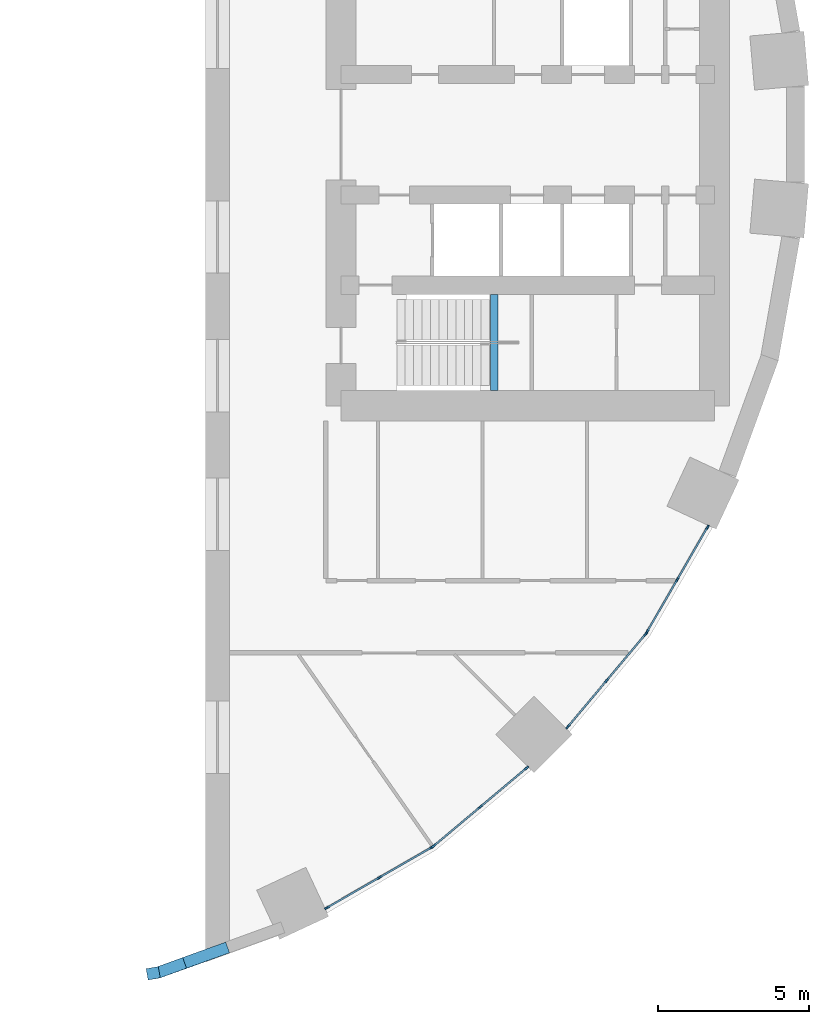
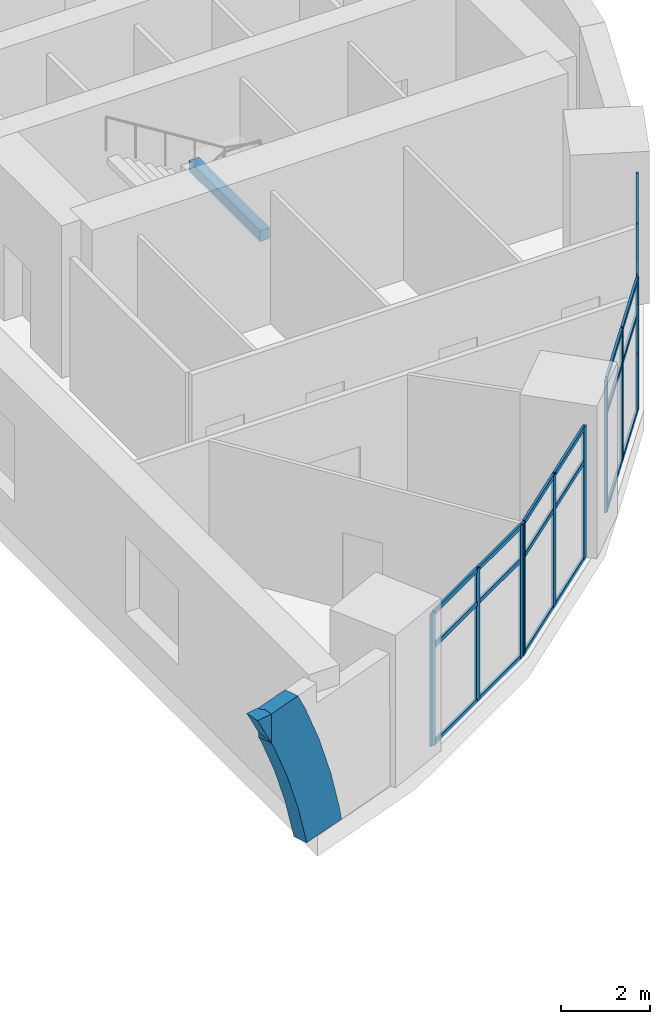
# One storey, part 3 of 13: 38 members, 1 beam, 4 elements without a shape of their own.
"""IFC4 building model written with IfcOpenShell, lengths in metres."""

from ifc_helpers import new_model, si_unit, direction, frame, origin, origin_2d, place, context, subcontext, project, spatial, polyline, rectangle, hollow_rectangle, outline, extrude, material, layer, layer_set, material_profile, profile_set, type_object, element, aggregate, save


model = new_model("IFC4")

# Units and contexts
model_context = context("Model", 3, precision=1e-05, world=origin(), true_north=direction((0.0, 1.0)))
body_context = subcontext(model_context, "Body", "Model", "MODEL_VIEW")
ifc_project = project(units=[si_unit("LENGTHUNIT", "METRE"), si_unit("AREAUNIT", "SQUARE_METRE"), si_unit("VOLUMEUNIT", "CUBIC_METRE"), si_unit("PLANEANGLEUNIT", "RADIAN"), si_unit("MASSUNIT", "GRAM", prefix="KILO")], contexts=[model_context])

# Site, building, storey
site_placement = place(None, origin())
site = spatial("IfcSite", under=ifc_project, at=site_placement, CompositionType="ELEMENT")
building_placement = place(site_placement, origin())
building = spatial("IfcBuilding", under=site, at=building_placement, Name="Saqina Gate Tower", CompositionType="ELEMENT")
storey_placement = place(building_placement, frame((0.0, 0.0, 9.199951171875)))
storey = spatial("IfcBuildingStorey", under=building, at=storey_placement, Name="L02", CompositionType="ELEMENT", Elevation=9.199951171875)

# Curtain wall, members
ifc_material_1 = material(Name="Aluminium glazing", Category="aluminium")
ifc_layer = layer(ifc_material_1, 0.159912109375)
ifc_layer_set = layer_set([ifc_layer], Name="CWT-1")
curtain_wall_type = type_object("IfcCurtainWallType", Name="CWT-1", PredefinedType="NOTDEFINED", material=ifc_layer_set)
curtain_wall_1_placement = place(storey_placement, origin())
curtain_wall_1 = element("IfcCurtainWall", 1, at=curtain_wall_1_placement, inside=storey, type_object=curtain_wall_type, Name="Podium shopfront facet 30", PredefinedType="NOTDEFINED")
ifc_material_2 = material(Name="Aluminium", Category="aluminium")
ifc_material_profile_1 = material_profile(ifc_material_2, rectangle(XDim=0.06005859375, YDim=0.159912109375, at=origin_2d()), Name="Aluminium 60x160")
ifc_profile_set_1 = profile_set([ifc_material_profile_1], Name="Aluminium")
member_type_1 = type_object("IfcMemberType", Name="CWT-1M", PredefinedType="MULLION", material=ifc_profile_set_1)
member_1_placement = place(storey_placement, frame((13.03466796875, -25.66015625, 0.0), z_axis=(0.0, 0.0, 1.0), x_axis=(-0.500013894893, 0.866017381415, 0.0)))
member_1 = element("IfcMember", 2, at=member_1_placement, type_object=member_type_1, Name="CW1-30 mullion 1", PredefinedType="MULLION", context=body_context, shape_type="SweptSolid", body=[
    extrude(rectangle(XDim=0.06005859375, YDim=0.159912109375, at=origin_2d()), origin(), (0.0, 0.0, 1.0), 3.650146484375),
])
member_2_placement = place(storey_placement, frame((14.770751953125, -24.65771484375, 0.0), z_axis=(0.0, 0.0, 1.0), x_axis=(-0.500013894893, 0.866017381415, 0.0)))
member_2 = element("IfcMember", 3, at=member_2_placement, type_object=member_type_1, Name="CW1-30 mullion 2", PredefinedType="MULLION", context=body_context, shape_type="SweptSolid", body=[
    extrude(rectangle(XDim=0.06005859375, YDim=0.159912109375, at=origin_2d()), origin(), (0.0, 0.0, 1.0), 3.650146484375),
])
member_3_placement = place(storey_placement, frame((16.5068359375, -23.655517578125, 0.0), z_axis=(0.0, 0.0, 1.0), x_axis=(-0.500013894893, 0.866017381415, 0.0)))
member_3 = element("IfcMember", 4, at=member_3_placement, type_object=member_type_1, Name="CW1-30 mullion 3", PredefinedType="MULLION", context=body_context, shape_type="SweptSolid", body=[
    extrude(rectangle(XDim=0.06005859375, YDim=0.159912109375, at=origin_2d()), origin(), (0.0, 0.0, 1.0), 3.650146484375),
])

curtain_wall_2_placement = place(storey_placement, origin())
curtain_wall_2 = element("IfcCurtainWall", 5, at=curtain_wall_2_placement, inside=storey, type_object=curtain_wall_type, Name="Podium shopfront facet 31", PredefinedType="NOTDEFINED")
member_4_placement = place(storey_placement, frame((16.583251953125, -23.601806640625, 0.0), z_axis=(0.0, 0.0, 1.0), x_axis=(-0.642779322911, 0.766051396473, 0.0)))
member_4 = element("IfcMember", 6, at=member_4_placement, type_object=member_type_1, Name="CW1-31 mullion 1", PredefinedType="MULLION", context=body_context, shape_type="SweptSolid", body=[
    extrude(rectangle(XDim=0.06005859375, YDim=0.159912109375, at=origin_2d()), origin(), (0.0, 0.0, 1.0), 3.650146484375),
])
member_5_placement = place(storey_placement, frame((18.118896484375, -22.3134765625, 0.0), z_axis=(0.0, 0.0, 1.0), x_axis=(-0.642779322911, 0.766051396473, 0.0)))
member_5 = element("IfcMember", 7, at=member_5_placement, type_object=member_type_1, Name="CW1-31 mullion 2", PredefinedType="MULLION", context=body_context, shape_type="SweptSolid", body=[
    extrude(rectangle(XDim=0.06005859375, YDim=0.159912109375, at=origin_2d()), origin(), (0.0, 0.0, 1.0), 3.650146484375),
])
member_6_placement = place(storey_placement, frame((19.654296875, -21.02490234375, 0.0), z_axis=(0.0, 0.0, 1.0), x_axis=(-0.642779322911, 0.766051396473, 0.0)))
member_6 = element("IfcMember", 8, at=member_6_placement, type_object=member_type_1, Name="CW1-31 mullion 3", PredefinedType="MULLION", context=body_context, shape_type="SweptSolid", body=[
    extrude(rectangle(XDim=0.06005859375, YDim=0.159912109375, at=origin_2d()), origin(), (0.0, 0.0, 1.0), 3.650146484375),
])

curtain_wall_3_placement = place(storey_placement, origin())
curtain_wall_3 = element("IfcCurtainWall", 9, at=curtain_wall_3_placement, inside=storey, type_object=curtain_wall_type, Name="Podium shopfront facet 32", PredefinedType="NOTDEFINED")
member_7_placement = place(storey_placement, frame((21.02490234375, -19.654296875, 0.0), z_axis=(0.0, 0.0, 1.0), x_axis=(-0.766051396473, 0.642779322911, 0.0)))
member_7 = element("IfcMember", 10, at=member_7_placement, type_object=member_type_1, Name="CW1-32 mullion 1", PredefinedType="MULLION", context=body_context, shape_type="SweptSolid", body=[
    extrude(rectangle(XDim=0.06005859375, YDim=0.159912109375, at=origin_2d()), origin(), (0.0, 0.0, 1.0), 3.650146484375),
])
member_8_placement = place(storey_placement, frame((22.3134765625, -18.118896484375, 0.0), z_axis=(0.0, 0.0, 1.0), x_axis=(-0.766051396473, 0.642779322911, 0.0)))
member_8 = element("IfcMember", 11, at=member_8_placement, type_object=member_type_1, Name="CW1-32 mullion 2", PredefinedType="MULLION", context=body_context, shape_type="SweptSolid", body=[
    extrude(rectangle(XDim=0.06005859375, YDim=0.159912109375, at=origin_2d()), origin(), (0.0, 0.0, 1.0), 3.650146484375),
])
member_9_placement = place(storey_placement, frame((23.601806640625, -16.583251953125, 0.0), z_axis=(0.0, 0.0, 1.0), x_axis=(-0.766051396473, 0.642779322911, 0.0)))
member_9 = element("IfcMember", 12, at=member_9_placement, type_object=member_type_1, Name="CW1-32 mullion 3", PredefinedType="MULLION", context=body_context, shape_type="SweptSolid", body=[
    extrude(rectangle(XDim=0.06005859375, YDim=0.159912109375, at=origin_2d()), origin(), (0.0, 0.0, 1.0), 3.650146484375),
])

curtain_wall_4_placement = place(storey_placement, origin())
curtain_wall_4 = element("IfcCurtainWall", 13, at=curtain_wall_4_placement, inside=storey, type_object=curtain_wall_type, Name="Podium shopfront facet 33", PredefinedType="NOTDEFINED")
member_10_placement = place(storey_placement, frame((23.655517578125, -16.5068359375, 0.0), z_axis=(0.0, 0.0, 1.0), x_axis=(-0.866017381415, 0.500013894893, 0.0)))
member_10 = element("IfcMember", 14, at=member_10_placement, type_object=member_type_1, Name="CW1-33 mullion 1", PredefinedType="MULLION", context=body_context, shape_type="SweptSolid", body=[
    extrude(rectangle(XDim=0.06005859375, YDim=0.159912109375, at=origin_2d()), origin(), (0.0, 0.0, 1.0), 3.650146484375),
])
member_11_placement = place(storey_placement, frame((24.65771484375, -14.770751953125, 0.0), z_axis=(0.0, 0.0, 1.0), x_axis=(-0.866017381415, 0.500013894893, 0.0)))
member_11 = element("IfcMember", 15, at=member_11_placement, type_object=member_type_1, Name="CW1-33 mullion 2", PredefinedType="MULLION", context=body_context, shape_type="SweptSolid", body=[
    extrude(rectangle(XDim=0.06005859375, YDim=0.159912109375, at=origin_2d()), origin(), (0.0, 0.0, 1.0), 3.650146484375),
])
member_12_placement = place(storey_placement, frame((25.66015625, -13.03466796875, 0.0), z_axis=(0.0, 0.0, 1.0), x_axis=(-0.866017381415, 0.500013894893, 0.0)))
member_12 = element("IfcMember", 16, at=member_12_placement, type_object=member_type_1, Name="CW1-33 mullion 3", PredefinedType="MULLION", context=body_context, shape_type="SweptSolid", body=[
    extrude(rectangle(XDim=0.06005859375, YDim=0.159912109375, at=origin_2d()), origin(), (0.0, 0.0, 1.0), 3.650146484375),
])

# Member
ifc_material_3 = material(Name="Aluminium", Category="aluminium")
ifc_material_profile_2 = material_profile(ifc_material_3, rectangle(XDim=0.06005859375, YDim=0.1201171875, at=origin_2d()), Name="Aluminium 60x120")
ifc_profile_set_2 = profile_set([ifc_material_profile_2], Name="Aluminium")
member_type_2 = type_object("IfcMemberType", Name="CWT-1T", PredefinedType="USERDEFINED", material=ifc_profile_set_2)
member_13_placement = place(storey_placement, frame((13.060791015625, -25.64501953125, 0.030029296875), z_axis=(0.866055964107, 0.499947064232, 0.0), x_axis=(-0.499947064232, 0.866055964107, 0.0)))
member_13 = element("IfcMember", 17, at=member_13_placement, type_object=member_type_2, Name="CW1-30 transom 1.1", ObjectType="TRANSOM", PredefinedType="USERDEFINED", context=body_context, shape_type="SweptSolid", body=[
    extrude(rectangle(XDim=0.06005859375, YDim=0.1201171875, at=origin_2d()), origin(), (0.0, 0.0, 1.0), 1.944580078125),
])

member_14_placement = place(storey_placement, frame((13.060791015625, -25.64501953125, 2.699951171875), z_axis=(0.866055964107, 0.499947064232, 0.0), x_axis=(-0.499947064232, 0.866055964107, 0.0)))
member_14 = element("IfcMember", 18, at=member_14_placement, type_object=member_type_2, Name="CW1-30 transom 1.2", ObjectType="TRANSOM", PredefinedType="USERDEFINED", context=body_context, shape_type="SweptSolid", body=[
    extrude(rectangle(XDim=0.06005859375, YDim=0.1201171875, at=origin_2d()), origin(), (0.0, 0.0, 1.0), 1.944580078125),
])

member_15_placement = place(storey_placement, frame((13.060791015625, -25.64501953125, 3.6201171875), z_axis=(0.866055964107, 0.499947064232, 0.0), x_axis=(-0.499947064232, 0.866055964107, 0.0)))
member_15 = element("IfcMember", 19, at=member_15_placement, type_object=member_type_2, Name="CW1-30 transom 1.3", ObjectType="TRANSOM", PredefinedType="USERDEFINED", context=body_context, shape_type="SweptSolid", body=[
    extrude(rectangle(XDim=0.06005859375, YDim=0.1201171875, at=origin_2d()), origin(), (0.0, 0.0, 1.0), 1.944580078125),
])

member_16_placement = place(storey_placement, frame((14.796630859375, -24.642822265625, 0.030029296875), z_axis=(0.866001600736, 0.500041225824, 0.0), x_axis=(-0.500041225824, 0.866001600736, 0.0)))
member_16 = element("IfcMember", 20, at=member_16_placement, type_object=member_type_2, Name="CW1-30 transom 2.1", ObjectType="TRANSOM", PredefinedType="USERDEFINED", context=body_context, shape_type="SweptSolid", body=[
    extrude(rectangle(XDim=0.06005859375, YDim=0.1201171875, at=origin_2d()), origin(), (0.0, 0.0, 1.0), 1.944580078125),
])

member_17_placement = place(storey_placement, frame((14.796630859375, -24.642822265625, 2.699951171875), z_axis=(0.866001600736, 0.500041225824, 0.0), x_axis=(-0.500041225824, 0.866001600736, 0.0)))
member_17 = element("IfcMember", 21, at=member_17_placement, type_object=member_type_2, Name="CW1-30 transom 2.2", ObjectType="TRANSOM", PredefinedType="USERDEFINED", context=body_context, shape_type="SweptSolid", body=[
    extrude(rectangle(XDim=0.06005859375, YDim=0.1201171875, at=origin_2d()), origin(), (0.0, 0.0, 1.0), 1.944580078125),
])

member_18_placement = place(storey_placement, frame((14.796630859375, -24.642822265625, 3.6201171875), z_axis=(0.866001600736, 0.500041225824, 0.0), x_axis=(-0.500041225824, 0.866001600736, 0.0)))
member_18 = element("IfcMember", 22, at=member_18_placement, type_object=member_type_2, Name="CW1-30 transom 2.3", ObjectType="TRANSOM", PredefinedType="USERDEFINED", context=body_context, shape_type="SweptSolid", body=[
    extrude(rectangle(XDim=0.06005859375, YDim=0.1201171875, at=origin_2d()), origin(), (0.0, 0.0, 1.0), 1.944580078125),
])

aggregate(curtain_wall_1, [member_1, member_2, member_3, member_13, member_14, member_15, member_16, member_17, member_18])

member_19_placement = place(storey_placement, frame((16.606201171875, -23.58251953125, 0.030029296875), z_axis=(0.766117756196, 0.642700228444, 0.0), x_axis=(-0.642700228444, 0.766117756196, 0.0)))
member_19 = element("IfcMember", 23, at=member_19_placement, type_object=member_type_2, Name="CW1-31 transom 1.1", ObjectType="TRANSOM", PredefinedType="USERDEFINED", context=body_context, shape_type="SweptSolid", body=[
    extrude(rectangle(XDim=0.06005859375, YDim=0.1201171875, at=origin_2d()), origin(), (0.0, 0.0, 1.0), 1.944580078125),
])

member_20_placement = place(storey_placement, frame((16.606201171875, -23.58251953125, 2.699951171875), z_axis=(0.766117756196, 0.642700228444, 0.0), x_axis=(-0.642700228444, 0.766117756196, 0.0)))
member_20 = element("IfcMember", 24, at=member_20_placement, type_object=member_type_2, Name="CW1-31 transom 1.2", ObjectType="TRANSOM", PredefinedType="USERDEFINED", context=body_context, shape_type="SweptSolid", body=[
    extrude(rectangle(XDim=0.06005859375, YDim=0.1201171875, at=origin_2d()), origin(), (0.0, 0.0, 1.0), 1.944580078125),
])

member_21_placement = place(storey_placement, frame((16.606201171875, -23.58251953125, 3.6201171875), z_axis=(0.766117756196, 0.642700228444, 0.0), x_axis=(-0.642700228444, 0.766117756196, 0.0)))
member_21 = element("IfcMember", 25, at=member_21_placement, type_object=member_type_2, Name="CW1-31 transom 1.3", ObjectType="TRANSOM", PredefinedType="USERDEFINED", context=body_context, shape_type="SweptSolid", body=[
    extrude(rectangle(XDim=0.06005859375, YDim=0.1201171875, at=origin_2d()), origin(), (0.0, 0.0, 1.0), 1.944580078125),
])

member_22_placement = place(storey_placement, frame((18.141845703125, -22.294189453125, 0.030029296875), z_axis=(0.76600406177, 0.642835731235, 0.0), x_axis=(-0.642835731235, 0.76600406177, 0.0)))
member_22 = element("IfcMember", 26, at=member_22_placement, type_object=member_type_2, Name="CW1-31 transom 2.1", ObjectType="TRANSOM", PredefinedType="USERDEFINED", context=body_context, shape_type="SweptSolid", body=[
    extrude(rectangle(XDim=0.06005859375, YDim=0.1201171875, at=origin_2d()), origin(), (0.0, 0.0, 1.0), 1.944580078125),
])

member_23_placement = place(storey_placement, frame((18.141845703125, -22.294189453125, 2.699951171875), z_axis=(0.76600406177, 0.642835731235, 0.0), x_axis=(-0.642835731235, 0.76600406177, 0.0)))
member_23 = element("IfcMember", 27, at=member_23_placement, type_object=member_type_2, Name="CW1-31 transom 2.2", ObjectType="TRANSOM", PredefinedType="USERDEFINED", context=body_context, shape_type="SweptSolid", body=[
    extrude(rectangle(XDim=0.06005859375, YDim=0.1201171875, at=origin_2d()), origin(), (0.0, 0.0, 1.0), 1.944580078125),
])

member_24_placement = place(storey_placement, frame((18.141845703125, -22.294189453125, 3.6201171875), z_axis=(0.76600406177, 0.642835731235, 0.0), x_axis=(-0.642835731235, 0.76600406177, 0.0)))
member_24 = element("IfcMember", 28, at=member_24_placement, type_object=member_type_2, Name="CW1-31 transom 2.3", ObjectType="TRANSOM", PredefinedType="USERDEFINED", context=body_context, shape_type="SweptSolid", body=[
    extrude(rectangle(XDim=0.06005859375, YDim=0.1201171875, at=origin_2d()), origin(), (0.0, 0.0, 1.0), 1.944580078125),
])

aggregate(curtain_wall_2, [member_4, member_5, member_6, member_19, member_20, member_21, member_22, member_23, member_24])

member_25_placement = place(storey_placement, frame((21.044189453125, -19.63134765625, 0.030029296875), z_axis=(0.642835731235, 0.76600406177, 0.0), x_axis=(-0.76600406177, 0.642835731235, 0.0)))
member_25 = element("IfcMember", 29, at=member_25_placement, type_object=member_type_2, Name="CW1-32 transom 1.1", ObjectType="TRANSOM", PredefinedType="USERDEFINED", context=body_context, shape_type="SweptSolid", body=[
    extrude(rectangle(XDim=0.06005859375, YDim=0.1201171875, at=origin_2d()), origin(), (0.0, 0.0, 1.0), 1.944580078125),
])

member_26_placement = place(storey_placement, frame((21.044189453125, -19.63134765625, 2.699951171875), z_axis=(0.642835731235, 0.76600406177, 0.0), x_axis=(-0.76600406177, 0.642835731235, 0.0)))
member_26 = element("IfcMember", 30, at=member_26_placement, type_object=member_type_2, Name="CW1-32 transom 1.2", ObjectType="TRANSOM", PredefinedType="USERDEFINED", context=body_context, shape_type="SweptSolid", body=[
    extrude(rectangle(XDim=0.06005859375, YDim=0.1201171875, at=origin_2d()), origin(), (0.0, 0.0, 1.0), 1.944580078125),
])

member_27_placement = place(storey_placement, frame((21.044189453125, -19.63134765625, 3.6201171875), z_axis=(0.642835731235, 0.76600406177, 0.0), x_axis=(-0.76600406177, 0.642835731235, 0.0)))
member_27 = element("IfcMember", 31, at=member_27_placement, type_object=member_type_2, Name="CW1-32 transom 1.3", ObjectType="TRANSOM", PredefinedType="USERDEFINED", context=body_context, shape_type="SweptSolid", body=[
    extrude(rectangle(XDim=0.06005859375, YDim=0.1201171875, at=origin_2d()), origin(), (0.0, 0.0, 1.0), 1.944580078125),
])

member_28_placement = place(storey_placement, frame((22.332763671875, -18.095947265625, 0.030029296875), z_axis=(0.642700228444, 0.766117756196, 0.0), x_axis=(-0.766117756196, 0.642700228444, 0.0)))
member_28 = element("IfcMember", 32, at=member_28_placement, type_object=member_type_2, Name="CW1-32 transom 2.1", ObjectType="TRANSOM", PredefinedType="USERDEFINED", context=body_context, shape_type="SweptSolid", body=[
    extrude(rectangle(XDim=0.06005859375, YDim=0.1201171875, at=origin_2d()), origin(), (0.0, 0.0, 1.0), 1.944580078125),
])

member_29_placement = place(storey_placement, frame((22.332763671875, -18.095947265625, 2.699951171875), z_axis=(0.642700228444, 0.766117756196, 0.0), x_axis=(-0.766117756196, 0.642700228444, 0.0)))
member_29 = element("IfcMember", 33, at=member_29_placement, type_object=member_type_2, Name="CW1-32 transom 2.2", ObjectType="TRANSOM", PredefinedType="USERDEFINED", context=body_context, shape_type="SweptSolid", body=[
    extrude(rectangle(XDim=0.06005859375, YDim=0.1201171875, at=origin_2d()), origin(), (0.0, 0.0, 1.0), 1.944580078125),
])

member_30_placement = place(storey_placement, frame((22.332763671875, -18.095947265625, 3.6201171875), z_axis=(0.642700228444, 0.766117756196, 0.0), x_axis=(-0.766117756196, 0.642700228444, 0.0)))
member_30 = element("IfcMember", 34, at=member_30_placement, type_object=member_type_2, Name="CW1-32 transom 2.3", ObjectType="TRANSOM", PredefinedType="USERDEFINED", context=body_context, shape_type="SweptSolid", body=[
    extrude(rectangle(XDim=0.06005859375, YDim=0.1201171875, at=origin_2d()), origin(), (0.0, 0.0, 1.0), 1.944580078125),
])

aggregate(curtain_wall_3, [member_7, member_8, member_9, member_25, member_26, member_27, member_28, member_29, member_30])

member_31_placement = place(storey_placement, frame((23.67041015625, -16.480712890625, 0.030029296875), z_axis=(0.500041225824, 0.866001600736, 0.0), x_axis=(-0.866001600736, 0.500041225824, 0.0)))
member_31 = element("IfcMember", 35, at=member_31_placement, type_object=member_type_2, Name="CW1-33 transom 1.1", ObjectType="TRANSOM", PredefinedType="USERDEFINED", context=body_context, shape_type="SweptSolid", body=[
    extrude(rectangle(XDim=0.06005859375, YDim=0.1201171875, at=origin_2d()), origin(), (0.0, 0.0, 1.0), 1.944580078125),
])

member_32_placement = place(storey_placement, frame((23.67041015625, -16.480712890625, 2.699951171875), z_axis=(0.500041225824, 0.866001600736, 0.0), x_axis=(-0.866001600736, 0.500041225824, 0.0)))
member_32 = element("IfcMember", 36, at=member_32_placement, type_object=member_type_2, Name="CW1-33 transom 1.2", ObjectType="TRANSOM", PredefinedType="USERDEFINED", context=body_context, shape_type="SweptSolid", body=[
    extrude(rectangle(XDim=0.06005859375, YDim=0.1201171875, at=origin_2d()), origin(), (0.0, 0.0, 1.0), 1.944580078125),
])

member_33_placement = place(storey_placement, frame((23.67041015625, -16.480712890625, 3.6201171875), z_axis=(0.500041225824, 0.866001600736, 0.0), x_axis=(-0.866001600736, 0.500041225824, 0.0)))
member_33 = element("IfcMember", 37, at=member_33_placement, type_object=member_type_2, Name="CW1-33 transom 1.3", ObjectType="TRANSOM", PredefinedType="USERDEFINED", context=body_context, shape_type="SweptSolid", body=[
    extrude(rectangle(XDim=0.06005859375, YDim=0.1201171875, at=origin_2d()), origin(), (0.0, 0.0, 1.0), 1.944580078125),
])

member_34_placement = place(storey_placement, frame((24.6728515625, -14.744873046875, 0.030029296875), z_axis=(0.499947064232, 0.866055964107, 0.0), x_axis=(-0.866055964107, 0.499947064232, 0.0)))
member_34 = element("IfcMember", 38, at=member_34_placement, type_object=member_type_2, Name="CW1-33 transom 2.1", ObjectType="TRANSOM", PredefinedType="USERDEFINED", context=body_context, shape_type="SweptSolid", body=[
    extrude(rectangle(XDim=0.06005859375, YDim=0.1201171875, at=origin_2d()), origin(), (0.0, 0.0, 1.0), 1.944580078125),
])

member_35_placement = place(storey_placement, frame((24.6728515625, -14.744873046875, 2.699951171875), z_axis=(0.499947064232, 0.866055964107, 0.0), x_axis=(-0.866055964107, 0.499947064232, 0.0)))
member_35 = element("IfcMember", 39, at=member_35_placement, type_object=member_type_2, Name="CW1-33 transom 2.2", ObjectType="TRANSOM", PredefinedType="USERDEFINED", context=body_context, shape_type="SweptSolid", body=[
    extrude(rectangle(XDim=0.06005859375, YDim=0.1201171875, at=origin_2d()), origin(), (0.0, 0.0, 1.0), 1.944580078125),
])

member_36_placement = place(storey_placement, frame((24.6728515625, -14.744873046875, 3.6201171875), z_axis=(0.499947064232, 0.866055964107, 0.0), x_axis=(-0.866055964107, 0.499947064232, 0.0)))
member_36 = element("IfcMember", 40, at=member_36_placement, type_object=member_type_2, Name="CW1-33 transom 2.3", ObjectType="TRANSOM", PredefinedType="USERDEFINED", context=body_context, shape_type="SweptSolid", body=[
    extrude(rectangle(XDim=0.06005859375, YDim=0.1201171875, at=origin_2d()), origin(), (0.0, 0.0, 1.0), 1.944580078125),
])

aggregate(curtain_wall_4, [member_10, member_11, member_12, member_31, member_32, member_33, member_34, member_35, member_36])

# Beam
ifc_material_4 = material(Name="Concrete C40/50", Category="concrete")
ifc_material_profile_3 = material_profile(ifc_material_4, rectangle(XDim=0.25, YDim=0.300048828125, at=origin_2d()), Name="STAIR LANDING BEAM")
ifc_profile_set_3 = profile_set([ifc_material_profile_3], Name="Concrete C40/50")
beam_type = type_object("IfcBeamType", Name="STAIR LANDING BEAM", PredefinedType="BEAM", material=ifc_profile_set_3)
beam_placement = place(storey_placement, frame((18.580078125, -8.5, 1.699951171875), z_axis=(0.0, 1.0, 0.0), x_axis=(-1.0, 0.0, 0.0)))
element("IfcBeam", 41, at=beam_placement, inside=storey, type_object=beam_type, Name="EXIT STAIR 2 LANDING BEAM", PredefinedType="BEAM", context=body_context, shape_type="SweptSolid", body=[
    extrude(rectangle(XDim=0.25, YDim=0.300048828125, at=origin_2d()), origin(), (0.0, 0.0, 1.0), 3.199951171875),
])

# Members
ifc_material_5 = material(Name="Steel S355", Category="steel")
ifc_material_profile_4 = material_profile(ifc_material_5, hollow_rectangle(XDim=1.199951171875, YDim=0.3798828125, WallThickness=0.030029296875, at=origin_2d()), Name="BOX 1200x380x30")
ifc_profile_set_4 = profile_set([ifc_material_profile_4], Name="Steel S355")
member_type_3 = type_object("IfcMemberType", Name="STR-ARCH RIB-BOX 1200x380x30", PredefinedType="USERDEFINED", material=ifc_profile_set_4)
member_37_placement = place(storey_placement, frame((7.5009765625, -27.9853515625, 4.199951171875), z_axis=(0.174034836321, -0.984736667942, 0.002360202804), x_axis=(0.000460853777, -0.002315331286, -0.999997213424)))
element("IfcMember", 42, at=member_37_placement, inside=storey, type_object=member_type_3, Name="ARCH RIB S L02 facet 28", ObjectType="ARCH RIB", PredefinedType="USERDEFINED", context=body_context, shape_type="SweptSolid", body=[
    extrude(outline(polyline([(0.0, 0.0), (0.5498060942724621, 3.7269449679189215e-20), (0.8000506681058834, -9.770848932912386e-05), (0.023173466462682053, -0.39496403138448416), (-2.1041619635609143e-05, -0.40880848742349646), (0.0, 0.0)])), origin(), (0.0, 0.0, -1.0), 0.3798828125),
])
member_38_placement = place(storey_placement, frame((8.99365234375, -27.45068359375, 0.0), z_axis=(0.341960377373, -0.9397123063, 0.001970201825), x_axis=(-0.939714130221, -0.341961040855, 1.15102e-07)))
element("IfcMember", 43, at=member_38_placement, inside=storey, type_object=member_type_3, Name="ARCH RIB S L02 facet 29", ObjectType="ARCH RIB", PredefinedType="USERDEFINED", context=body_context, shape_type="SweptSolid", body=[
    extrude(outline(polyline([(0.0, 0.0), (0.3605990083932556, 0.0), (0.37434464868451744, -0.07202147257707002), (0.6635243372844616, -1.1367207568815796), (1.0329460406158117, -2.1792034792451163), (1.4806908923456175, -3.1943418328392768), (1.590197127228196, -3.3999085350772584), (1.5900301828672756, -3.650153094052104), (1.5900716580297507, -4.199959303472122), (0.6568694519379614, -4.199959354275301), (0.40056233357918125, -3.719245377540963), (-0.08316308300945113, -2.6223193623894248), (-0.4824748080074964, -1.494875939393452), (-0.7955164242282952, -0.34277426733985616), (-0.8615329668274959, -2.396867945050245e-07), (0.0, 0.0)])), origin(), (0.0, 0.0, -1.0), 0.3798828125),
])

save(model, "model.ifc")
